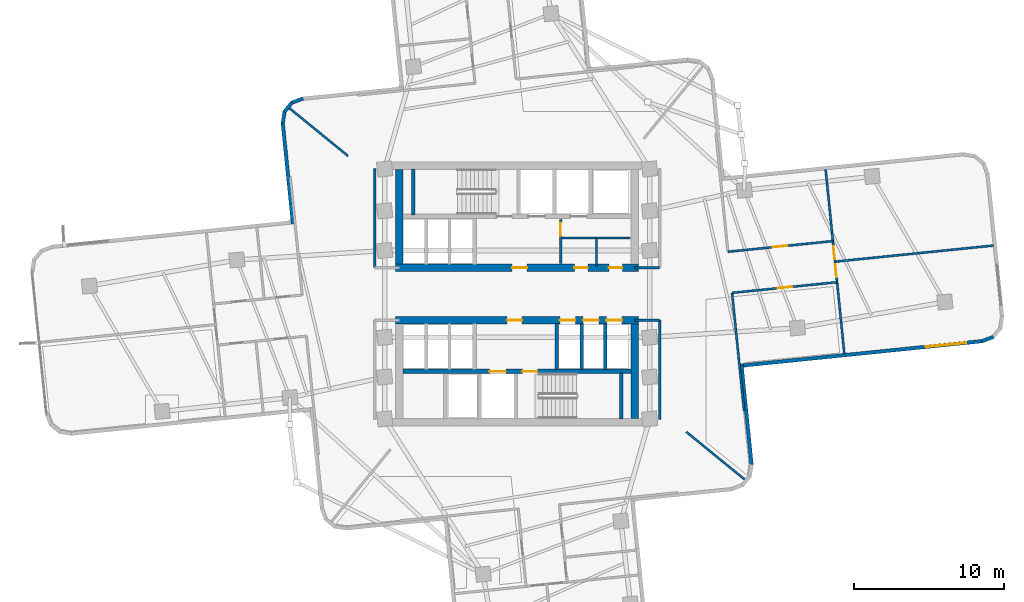
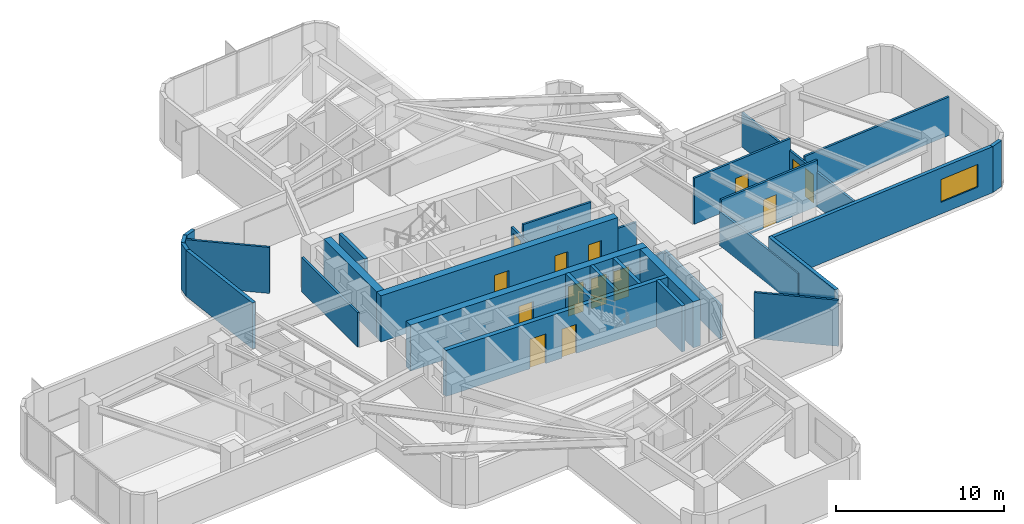
# One storey, part 7 of 12: 31 walls, 14 doors, 1 window, 15 openings.
"""IFC4 building model written with IfcOpenShell, lengths in metres."""

from ifc_helpers import new_model, si_unit, direction, frame, frame_2d, origin, place, context, subcontext, project, spatial, rectangle, extrude, material, layer, layer_set, type_object, element, fill, save


model = new_model("IFC4")

# Units and contexts
model_context = context("Model", 3, precision=1e-05, world=origin(), true_north=direction((0.0, 1.0)))
body_context = subcontext(model_context, "Body", "Model", "MODEL_VIEW")
ifc_project = project(units=[si_unit("LENGTHUNIT", "METRE"), si_unit("AREAUNIT", "SQUARE_METRE"), si_unit("VOLUMEUNIT", "CUBIC_METRE"), si_unit("PLANEANGLEUNIT", "RADIAN"), si_unit("MASSUNIT", "GRAM", prefix="KILO")], contexts=[model_context])

# Site, building, storey
site_placement = place(None, origin())
site = spatial("IfcSite", under=ifc_project, at=site_placement, CompositionType="ELEMENT")
building_placement = place(site_placement, origin())
building = spatial("IfcBuilding", under=site, at=building_placement, Name="Solmarez Civic Tower", CompositionType="ELEMENT")
storey_placement = place(building_placement, frame((0.0, 0.0, 74.8798828125)))
storey = spatial("IfcBuildingStorey", under=building, at=storey_placement, Name="L19", CompositionType="ELEMENT", Elevation=74.8798828125)

# Wall, openings, doors
ifc_material_1 = material(Name="Concrete C60/75", Category="concrete")
ifc_layer_1 = layer(ifc_material_1, 0.5)
ifc_layer_set_1 = layer_set([ifc_layer_1], Name="Concrete C60/75")
wall_type_1 = type_object("IfcWallType", Name="WALL-CORE-500", PredefinedType="SHEAR", material=ifc_layer_set_1)
wall_1_placement = place(storey_placement, frame((8.1201171875, 1.75, 0.0), z_axis=(0.0, 0.0, 1.0), x_axis=(-1.0, 0.0, 0.0)))
wall_1 = element("IfcWall", 1, at=wall_1_placement, inside=storey, type_object=wall_type_1, Name="L19 Split-Core Structural Wall NCW-S-L19", PredefinedType="SHEAR", context=body_context, shape_type="SweptSolid", body=[
    extrude(rectangle(XDim=16.240234375, YDim=0.5, at=frame_2d((8.1201171875, 0.0))), origin(), (0.0, 0.0, 1.0), 3.340087890625),
])
opening_1_placement = place(wall_1_placement, frame((7.449951171875, 0.0, 0.0)))
opening_1 = element("IfcOpeningElement", 2, at=opening_1_placement, cuts=wall_1, Name="Opening D-04", PredefinedType="OPENING", context=body_context, shape_type="SweptSolid", body=[
    extrude(rectangle(XDim=1.0, YDim=2.10009765625, at=frame_2d((0.5, 1.050048828125))), frame((0.0, 0.260009765625, 0.0), z_axis=(0.0, -1.0, 0.0), x_axis=(1.0, 0.0, 0.0)), (0.0, 0.0, 1.0), 0.52001953125),
])
opening_2_placement = place(wall_1_placement, frame((3.39990234375, 0.0, 0.0)))
opening_2 = element("IfcOpeningElement", 3, at=opening_2_placement, cuts=wall_1, Name="Opening D-09", PredefinedType="OPENING", context=body_context, shape_type="SweptSolid", body=[
    extrude(rectangle(XDim=0.89990234375, YDim=2.06005859375, at=frame_2d((0.449951171875, 1.030029296875))), frame((0.0, 0.260009765625, 0.0), z_axis=(0.0, -1.0, 0.0), x_axis=(1.0, 0.0, 0.0)), (0.0, 0.0, 1.0), 0.52001953125),
])
opening_3_placement = place(wall_1_placement, frame((1.10009765625, 0.0, 0.0)))
opening_3 = element("IfcOpeningElement", 4, at=opening_3_placement, cuts=wall_1, Name="Opening D-09", PredefinedType="OPENING", context=body_context, shape_type="SweptSolid", body=[
    extrude(rectangle(XDim=0.89990234375, YDim=2.06005859375, at=frame_2d((0.449951171875, 1.030029296875))), frame((0.0, 0.260009765625, 0.0), z_axis=(0.0, -1.0, 0.0), x_axis=(1.0, 0.0, 0.0)), (0.0, 0.0, 1.0), 0.52001953125),
])
ifc_material_2 = material(Name="Steel-Faced Acoustic Fire Door", Category="steel")
door_type_1 = type_object("IfcDoorType", Name="DOOR-FD60-1000", OperationType="NOTDEFINED", PredefinedType="DOOR", material=ifc_material_2)
door_1_placement = place(opening_1_placement, origin())
door_1 = element("IfcDoor", 5, at=door_1_placement, inside=storey, type_object=door_type_1, Name="L19 North Firefighting Lobby Door", OperationType="SINGLE_SWING_RIGHT", OverallHeight=2.10009765625, OverallWidth=1.0, PredefinedType="DOOR", context=body_context, shape_type="SweptSolid", body=[
    extrude(rectangle(XDim=1.0, YDim=2.10009765625, at=frame_2d((0.5, 1.050048828125))), frame((0.0, 0.02490234375, 0.0), z_axis=(0.0, -1.0, 0.0), x_axis=(1.0, 0.0, 0.0)), (0.0, 0.0, 1.0), 0.050048828125),
])
fill(opening_1, door_1)
ifc_material_3 = material(Name="Fire-Rated Service Core Door", Category="wood")
door_type_2 = type_object("IfcDoorType", Name="DOOR-FD60-900", OperationType="NOTDEFINED", PredefinedType="DOOR", material=ifc_material_3)
door_2_placement = place(opening_2_placement, origin())
door_2 = element("IfcDoor", 6, at=door_2_placement, inside=storey, type_object=door_type_2, Name="L19 Core WC Door", OperationType="SINGLE_SWING_LEFT", OverallHeight=2.06005859375, OverallWidth=0.89990234375, PredefinedType="DOOR", context=body_context, shape_type="SweptSolid", body=[
    extrude(rectangle(XDim=0.89990234375, YDim=2.06005859375, at=frame_2d((0.449951171875, 1.030029296875))), frame((0.0, 0.02490234375, 0.0), z_axis=(0.0, -1.0, 0.0), x_axis=(1.0, 0.0, 0.0)), (0.0, 0.0, 1.0), 0.050048828125),
])
fill(opening_2, door_2)
door_3_placement = place(opening_3_placement, origin())
door_3 = element("IfcDoor", 7, at=door_3_placement, inside=storey, type_object=door_type_2, Name="L19 Core CL Door", OperationType="SINGLE_SWING_RIGHT", OverallHeight=2.06005859375, OverallWidth=0.89990234375, PredefinedType="DOOR", context=body_context, shape_type="SweptSolid", body=[
    extrude(rectangle(XDim=0.89990234375, YDim=2.06005859375, at=frame_2d((0.449951171875, 1.030029296875))), frame((0.0, 0.02490234375, 0.0), z_axis=(0.0, -1.0, 0.0), x_axis=(1.0, 0.0, 0.0)), (0.0, 0.0, 1.0), 0.050048828125),
])
fill(opening_3, door_3)

# Wall
wall_2_placement = place(storey_placement, frame((-7.8701171875, 2.0, 0.0), z_axis=(0.0, 0.0, 1.0), x_axis=(0.0, 1.0, 0.0)))
element("IfcWall", 8, at=wall_2_placement, inside=storey, type_object=wall_type_1, Name="L19 Split-Core Structural Wall NCW-W-L19", PredefinedType="SHEAR", context=body_context, shape_type="SweptSolid", body=[
    extrude(rectangle(XDim=6.31005859375, YDim=0.5, at=frame_2d((3.155029296875, 0.0))), origin(), (0.0, 0.0, 1.0), 3.340087890625),
])

# Wall, openings, doors
wall_3_placement = place(storey_placement, frame((-8.1201171875, -1.75, 0.0), z_axis=(0.0, 0.0, 1.0), x_axis=(1.0, 0.0, 0.0)))
wall_3 = element("IfcWall", 9, at=wall_3_placement, inside=storey, type_object=wall_type_1, Name="L19 Split-Core Structural Wall SCW-N-L19", PredefinedType="SHEAR", context=body_context, shape_type="SweptSolid", body=[
    extrude(rectangle(XDim=16.240234375, YDim=0.5, at=frame_2d((8.1201171875, 0.0))), origin(), (0.0, 0.0, 1.0), 3.340087890625),
])
opening_4_placement = place(wall_3_placement, frame((7.449951171875, 0.0, 0.0)))
opening_4 = element("IfcOpeningElement", 10, at=opening_4_placement, cuts=wall_3, Name="Opening D-04", PredefinedType="OPENING", context=body_context, shape_type="SweptSolid", body=[
    extrude(rectangle(XDim=1.0, YDim=2.10009765625, at=frame_2d((0.5, 1.050048828125))), frame((0.0, 0.260009765625, 0.0), z_axis=(0.0, -1.0, 0.0), x_axis=(1.0, 0.0, 0.0)), (0.0, 0.0, 1.0), 0.52001953125),
])
opening_5_placement = place(wall_3_placement, frame((10.965087890625, 0.0, 0.0)))
opening_5 = element("IfcOpeningElement", 11, at=opening_5_placement, cuts=wall_3, Name="Opening LD-01", PredefinedType="OPENING", context=body_context, shape_type="SweptSolid", body=[
    extrude(rectangle(XDim=1.050048828125, YDim=2.14990234375, at=frame_2d((0.52490234375, 1.074951171875))), frame((0.0, 0.260009765625, 0.0), z_axis=(0.0, -1.0, 0.0), x_axis=(1.0, 0.0, 0.0)), (0.0, 0.0, 1.0), 0.52001953125),
])
opening_6_placement = place(wall_3_placement, frame((12.52490234375, 0.0, 0.0)))
opening_6 = element("IfcOpeningElement", 12, at=opening_6_placement, cuts=wall_3, Name="Opening LD-01", PredefinedType="OPENING", context=body_context, shape_type="SweptSolid", body=[
    extrude(rectangle(XDim=1.050048828125, YDim=2.14990234375, at=frame_2d((0.52490234375, 1.074951171875))), frame((0.0, 0.260009765625, 0.0), z_axis=(0.0, -1.0, 0.0), x_axis=(1.0, 0.0, 0.0)), (0.0, 0.0, 1.0), 0.52001953125),
])
opening_7_placement = place(wall_3_placement, frame((14.0849609375, 0.0, 0.0)))
opening_7 = element("IfcOpeningElement", 13, at=opening_7_placement, cuts=wall_3, Name="Opening LD-01", PredefinedType="OPENING", context=body_context, shape_type="SweptSolid", body=[
    extrude(rectangle(XDim=1.050048828125, YDim=2.14990234375, at=frame_2d((0.52490234375, 1.074951171875))), frame((0.0, 0.260009765625, 0.0), z_axis=(0.0, -1.0, 0.0), x_axis=(1.0, 0.0, 0.0)), (0.0, 0.0, 1.0), 0.52001953125),
])
door_4_placement = place(opening_4_placement, origin())
door_4 = element("IfcDoor", 14, at=door_4_placement, inside=storey, type_object=door_type_1, Name="L19 South Firefighting Lobby Door", OperationType="SINGLE_SWING_LEFT", OverallHeight=2.10009765625, OverallWidth=1.0, PredefinedType="DOOR", context=body_context, shape_type="SweptSolid", body=[
    extrude(rectangle(XDim=1.0, YDim=2.10009765625, at=frame_2d((0.5, 1.050048828125))), frame((0.0, 0.02490234375, 0.0), z_axis=(0.0, -1.0, 0.0), x_axis=(1.0, 0.0, 0.0)), (0.0, 0.0, 1.0), 0.050048828125),
])
fill(opening_4, door_4)
ifc_material_4 = material(Name="Bronze Passenger Lift Landing Sliding Door", Category="aluminium")
door_type_3 = type_object("IfcDoorType", Name="DOOR-LD-PAX-1050", OperationType="DOUBLE_DOOR_SLIDING", PredefinedType="DOOR", material=ifc_material_4)
door_5_placement = place(opening_5_placement, origin())
door_5 = element("IfcDoor", 15, at=door_5_placement, inside=storey, type_object=door_type_3, Name="L19 Low-Rise Lift Landing Door PL-L1", OperationType="DOUBLE_DOOR_SLIDING", OverallHeight=2.14990234375, OverallWidth=1.050048828125, PredefinedType="DOOR", context=body_context, shape_type="SweptSolid", body=[
    extrude(rectangle(XDim=1.050048828125, YDim=2.14990234375, at=frame_2d((0.52490234375, 1.074951171875))), frame((0.0, 0.02490234375, 0.0), z_axis=(0.0, -1.0, 0.0), x_axis=(1.0, 0.0, 0.0)), (0.0, 0.0, 1.0), 0.050048828125),
])
fill(opening_5, door_5)
door_6_placement = place(opening_6_placement, origin())
door_6 = element("IfcDoor", 16, at=door_6_placement, inside=storey, type_object=door_type_3, Name="L19 Low-Rise Lift Landing Door PL-L2", OperationType="DOUBLE_DOOR_SLIDING", OverallHeight=2.14990234375, OverallWidth=1.050048828125, PredefinedType="DOOR", context=body_context, shape_type="SweptSolid", body=[
    extrude(rectangle(XDim=1.050048828125, YDim=2.14990234375, at=frame_2d((0.52490234375, 1.074951171875))), frame((0.0, 0.02490234375, 0.0), z_axis=(0.0, -1.0, 0.0), x_axis=(1.0, 0.0, 0.0)), (0.0, 0.0, 1.0), 0.050048828125),
])
fill(opening_6, door_6)
door_7_placement = place(opening_7_placement, origin())
door_7 = element("IfcDoor", 17, at=door_7_placement, inside=storey, type_object=door_type_3, Name="L19 Low-Rise Lift Landing Door PL-L3", OperationType="DOUBLE_DOOR_SLIDING", OverallHeight=2.14990234375, OverallWidth=1.050048828125, PredefinedType="DOOR", context=body_context, shape_type="SweptSolid", body=[
    extrude(rectangle(XDim=1.050048828125, YDim=2.14990234375, at=frame_2d((0.52490234375, 1.074951171875))), frame((0.0, 0.02490234375, 0.0), z_axis=(0.0, -1.0, 0.0), x_axis=(1.0, 0.0, 0.0)), (0.0, 0.0, 1.0), 0.050048828125),
])
fill(opening_7, door_7)

# Walls
wall_4_placement = place(storey_placement, frame((7.8701171875, -2.0, 0.0), z_axis=(0.0, 0.0, 1.0), x_axis=(0.0, -1.0, 0.0)))
element("IfcWall", 18, at=wall_4_placement, inside=storey, type_object=wall_type_1, Name="L19 Split-Core Structural Wall SCW-E-L19", PredefinedType="SHEAR", context=body_context, shape_type="SweptSolid", body=[
    extrude(rectangle(XDim=6.31005859375, YDim=0.5, at=frame_2d((3.155029296875, 0.0))), origin(), (0.0, 0.0, 1.0), 3.340087890625),
])
ifc_material_5 = material(Name="Precast concrete C40/50", Category="concrete")
ifc_layer_2 = layer(ifc_material_5, 0.239990234375)
ifc_layer_set_2 = layer_set([ifc_layer_2], Name="Precast concrete C40/50")
wall_type_2 = type_object("IfcWallType", Name="WALL-EXT-240", PredefinedType="SOLIDWALL", material=ifc_layer_set_2)
wall_5_placement = place(storey_placement, frame((-14.98095703125, 4.694091796875, 0.0), z_axis=(0.0, 0.0, 1.0), x_axis=(-0.101105402534, 0.994875719665, 0.0)))
element("IfcWall", 19, at=wall_5_placement, inside=storey, type_object=wall_type_2, Name="L19 Exterior Precast Wall 13", PredefinedType="SOLIDWALL", context=body_context, shape_type="SweptSolid", body=[
    extrude(rectangle(XDim=6.775634765625, YDim=0.239990234375, at=frame_2d((3.3876953125, 0.0))), origin(), (0.0, 0.0, 1.0), 3.340087890625),
])
wall_6_placement = place(storey_placement, frame((-15.6669921875, 11.385009765625, 0.0), z_axis=(0.0, 0.0, 1.0), x_axis=(0.160156284613, 0.987091669755, 0.0)))
element("IfcWall", 20, at=wall_6_placement, inside=storey, type_object=wall_type_2, Name="L19 Exterior Precast Wall 14", PredefinedType="SOLIDWALL", context=body_context, shape_type="SweptSolid", body=[
    extrude(rectangle(XDim=0.830810546875, YDim=0.239990234375, at=frame_2d((0.41552734375, 0.0))), origin(), (0.0, 0.0, 1.0), 3.340087890625),
])
wall_7_placement = place(storey_placement, frame((-15.553955078125, 12.160888671875, 0.0), z_axis=(0.0, 0.0, 1.0), x_axis=(0.632027096542, 0.774946287969, 0.0)))
element("IfcWall", 21, at=wall_7_placement, inside=storey, type_object=wall_type_2, Name="L19 Exterior Precast Wall 15", PredefinedType="SOLIDWALL", context=body_context, shape_type="SweptSolid", body=[
    extrude(rectangle(XDim=0.813232421875, YDim=0.239990234375, at=frame_2d((0.40673828125, 0.0))), origin(), (0.0, 0.0, 1.0), 3.340087890625),
])
wall_8_placement = place(storey_placement, frame((-15.0791015625, 12.762939453125, 0.0), z_axis=(0.0, 0.0, 1.0), x_axis=(0.934687869602, 0.355469529522, 0.0)))
element("IfcWall", 22, at=wall_8_placement, inside=storey, type_object=wall_type_2, Name="L19 Exterior Precast Wall 16", PredefinedType="SOLIDWALL", context=body_context, shape_type="SweptSolid", body=[
    extrude(rectangle(XDim=0.830322265625, YDim=0.239990234375, at=frame_2d((0.4150390625, 0.0))), origin(), (0.0, 0.0, 1.0), 3.340087890625),
])
wall_9_placement = place(storey_placement, frame((31.81494140625, -2.87109375, 0.0), z_axis=(0.0, 0.0, 1.0), x_axis=(-0.934748415991, -0.355310285248, 0.0)))
element("IfcWall", 23, at=wall_9_placement, inside=storey, type_object=wall_type_2, Name="L19 Exterior Precast Wall 45", PredefinedType="SOLIDWALL", context=body_context, shape_type="SweptSolid", body=[
    extrude(rectangle(XDim=0.830078125, YDim=0.239990234375, at=frame_2d((0.4150390625, 0.0))), origin(), (0.0, 0.0, 1.0), 3.340087890625),
])

# Wall, opening, window
wall_10_placement = place(storey_placement, frame((31.0869140625, -3.154052734375, 0.0), z_axis=(0.0, 0.0, 1.0), x_axis=(-0.994872777564, -0.101134348577, 0.0)))
wall_10 = element("IfcWall", 24, at=wall_10_placement, inside=storey, type_object=wall_type_2, Name="L19 Exterior Precast Wall 46", PredefinedType="SOLIDWALL", context=body_context, shape_type="SweptSolid", body=[
    extrude(rectangle(XDim=16.275390625, YDim=0.239990234375, at=frame_2d((8.1376953125, 0.0))), origin(), (0.0, 0.0, 1.0), 3.340087890625),
])
opening_8_placement = place(wall_10_placement, frame((1.10009765625, 0.0, 0.85009765625)))
opening_8 = element("IfcOpeningElement", 25, at=opening_8_placement, cuts=wall_10, Name="Opening W-09", PredefinedType="OPENING", context=body_context, shape_type="SweptSolid", body=[
    extrude(rectangle(XDim=2.699951171875, YDim=1.64990234375, at=frame_2d((1.35009765625, 0.824951171875))), frame((0.0, 0.1298828125, 0.0), z_axis=(0.0, -1.0, 0.0), x_axis=(1.0, 0.0, 0.0)), (0.0, 0.0, 1.0), 0.260009765625),
])
ifc_material_6 = material(Name="Solar Control Bronze-Tinted Insulating Glass", Category="glass")
window_type = type_object("IfcWindowType", Name="WIN-2700X1650", PartitioningType="SINGLE_PANEL", PredefinedType="WINDOW", material=ifc_material_6)
window_placement = place(opening_8_placement, origin())
window = element("IfcWindow", 26, at=window_placement, inside=storey, type_object=window_type, Name="L19 Exterior Facade Window 46", OverallHeight=1.64990234375, OverallWidth=2.699951171875, PartitioningType="SINGLE_PANEL", PredefinedType="WINDOW", context=body_context, shape_type="SweptSolid", body=[
    extrude(rectangle(XDim=2.699951171875, YDim=1.64990234375, at=frame_2d((1.35009765625, 0.824951171875))), frame((0.0, 0.030029296875, 0.0), z_axis=(0.0, -1.0, 0.0), x_axis=(1.0, 0.0, 0.0)), (0.0, 0.0, 1.0), 0.06005859375),
])
fill(opening_8, window)

# Walls
wall_11_placement = place(storey_placement, frame((14.98095703125, -4.694091796875, 0.0), z_axis=(0.0, 0.0, 1.0), x_axis=(0.101105402534, -0.994875719665, 0.0)))
element("IfcWall", 27, at=wall_11_placement, inside=storey, type_object=wall_type_2, Name="L19 Exterior Precast Wall 49", PredefinedType="SOLIDWALL", context=body_context, shape_type="SweptSolid", body=[
    extrude(rectangle(XDim=6.775634765625, YDim=0.239990234375, at=frame_2d((3.3876953125, 0.0))), origin(), (0.0, 0.0, 1.0), 3.340087890625),
])
ifc_material_7 = material(Name="Gypsum Board Acoustic Steel-Stud Partition", Category="steel")
ifc_layer_3 = layer(ifc_material_7, 0.14990234375)
ifc_layer_set_3 = layer_set([ifc_layer_3], Name="Gypsum Board Acoustic Steel-Stud Partition")
wall_type_3 = type_object("IfcWallType", Name="WALL-INT-FIRE-150", PredefinedType="PARTITIONING", material=ifc_layer_set_3)
wall_12_placement = place(storey_placement, frame((-9.52001953125, 1.75, 0.0), z_axis=(0.0, 0.0, 1.0), x_axis=(0.0, 1.0, 0.0)))
element("IfcWall", 28, at=wall_12_placement, inside=storey, type_object=wall_type_3, Name="L19 Interior Partition CHW-L19-WN1", PredefinedType="PARTITIONING", context=body_context, shape_type="SweptSolid", body=[
    extrude(rectangle(XDim=6.6298828125, YDim=0.14990234375, at=frame_2d((3.31494140625, 0.0))), origin(), (0.0, 0.0, 1.0), 2.486083984375),
])
wall_13_placement = place(storey_placement, frame((7.85009765625, 1.75, 0.0), z_axis=(0.0, 0.0, 1.0), x_axis=(1.0, 0.0, 0.0)))
element("IfcWall", 29, at=wall_13_placement, inside=storey, type_object=wall_type_3, Name="L19 Interior Partition CHW-L19-EN3", PredefinedType="PARTITIONING", context=body_context, shape_type="SweptSolid", body=[
    extrude(rectangle(XDim=1.669921875, YDim=0.14990234375, at=frame_2d((0.8349609375, 0.0))), origin(), (0.0, 0.0, 1.0), 2.405029296875),
])
wall_14_placement = place(storey_placement, frame((9.52001953125, -8.3798828125, 0.0), z_axis=(0.0, 0.0, 1.0), x_axis=(0.0, 1.0, 0.0)))
element("IfcWall", 30, at=wall_14_placement, inside=storey, type_object=wall_type_3, Name="L19 Interior Partition CHW-L19-ES1", PredefinedType="PARTITIONING", context=body_context, shape_type="SweptSolid", body=[
    extrude(rectangle(XDim=6.6298828125, YDim=0.14990234375, at=frame_2d((3.31494140625, 0.0))), origin(), (0.0, 0.0, 1.0), 2.486083984375),
])
wall_15_placement = place(storey_placement, frame((7.85009765625, -1.75, 0.0), z_axis=(0.0, 0.0, 1.0), x_axis=(1.0, 0.0, 0.0)))
element("IfcWall", 31, at=wall_15_placement, inside=storey, type_object=wall_type_3, Name="L19 Interior Partition CHW-L19-ES3", PredefinedType="PARTITIONING", context=body_context, shape_type="SweptSolid", body=[
    extrude(rectangle(XDim=1.669921875, YDim=0.14990234375, at=frame_2d((0.8349609375, 0.0))), origin(), (0.0, 0.0, 1.0), 2.405029296875),
])
ifc_layer_4 = layer(ifc_material_7, 0.14501953125)
ifc_layer_set_4 = layer_set([ifc_layer_4], Name="Gypsum Board Acoustic Steel-Stud Partition")
wall_type_4 = type_object("IfcWallType", Name="WALL-INT-PART-150", PredefinedType="PARTITIONING", material=ifc_layer_set_4)
for number, where, z_axis, x_axis, name in (
    (32, (-11.300048828125, 9.216064453125, 0.0), (0.0, 0.0, 1.0), (-0.774936359867, 0.632039269473, 0.0), "L19 Interior Partition PT-L19-QDIV-2"),
    (33, (11.300048828125, -9.216064453125, 0.0), (0.0, 0.0, 1.0), (0.774936359867, -0.632039269473, 0.0), "L19 Interior Partition PT-L19-QDIV-4"),
):
    element("IfcWall", number, at=place(storey_placement, frame(where, z_axis=z_axis, x_axis=x_axis)), inside=storey, type_object=wall_type_4, Name=name, PredefinedType="PARTITIONING", context=body_context, shape_type="SweptSolid", body=[
        extrude(rectangle(XDim=5.072509765625, YDim=0.14501953125, at=frame_2d((2.5361328125, 0.0))), origin(), (0.0, 0.0, 1.0), 3.340087890625),
    ])
wall_16_placement = place(storey_placement, frame((15.158935546875, -7.827880859375, 0.0), z_axis=(0.0, 0.0, 1.0), x_axis=(-0.101130341041, 0.994873184944, 0.0)))
element("IfcWall", 34, at=wall_16_placement, inside=storey, type_object=wall_type_4, Name="L19 Interior Partition PT-L19-E-EFR", PredefinedType="PARTITIONING", context=body_context, shape_type="SweptSolid", body=[
    extrude(rectangle(XDim=7.94970703125, YDim=0.14501953125, at=frame_2d((3.974853515625, 0.0))), origin(), (0.0, 0.0, 1.0), 2.486083984375),
])

# Wall, opening, door
wall_17_placement = place(storey_placement, frame((21.091064453125, 3.529052734375, 0.0), z_axis=(0.0, 0.0, 1.0), x_axis=(-0.994885188523, -0.101012185692, 0.0)))
wall_17 = element("IfcWall", 35, at=wall_17_placement, inside=storey, type_object=wall_type_4, Name="L19 Interior Partition PT-L19-E-SL", PredefinedType="PARTITIONING", context=body_context, shape_type="SweptSolid", body=[
    extrude(rectangle(XDim=7.05029296875, YDim=0.14501953125, at=frame_2d((3.525146484375, 0.0))), origin(), (0.0, 0.0, 1.0), 3.340087890625),
])
opening_9_placement = place(wall_17_placement, frame((3.074951171875, 0.0, 0.0)))
opening_9 = element("IfcOpeningElement", 36, at=opening_9_placement, cuts=wall_17, Name="Opening D-10", PredefinedType="OPENING", context=body_context, shape_type="SweptSolid", body=[
    extrude(rectangle(XDim=0.949951171875, YDim=2.080078125, at=frame_2d((0.47509765625, 1.0400390625))), frame((0.0, 0.08251953125, 0.0), z_axis=(0.0, -1.0, 0.0), x_axis=(1.0, 0.0, 0.0)), (0.0, 0.0, 1.0), 0.1650390625),
])
ifc_material_8 = material(Name="Solid-Core Timber Ministry Office Door", Category="wood")
door_type_4 = type_object("IfcDoorType", Name="DOOR-INT-950", OperationType="NOTDEFINED", PredefinedType="DOOR", material=ifc_material_8)
door_8_placement = place(opening_9_placement, origin())
door_8 = element("IfcDoor", 37, at=door_8_placement, inside=storey, type_object=door_type_4, Name="L19 Co-Working Policy Workspace East Door", OperationType="SINGLE_SWING_LEFT", OverallHeight=2.080078125, OverallWidth=0.949951171875, PredefinedType="DOOR", context=body_context, shape_type="SweptSolid", body=[
    extrude(rectangle(XDim=0.949951171875, YDim=2.080078125, at=frame_2d((0.47509765625, 1.0400390625))), frame((0.0, 0.02490234375, 0.0), z_axis=(0.0, -1.0, 0.0), x_axis=(1.0, 0.0, 0.0)), (0.0, 0.0, 1.0), 0.050048828125),
])
fill(opening_9, door_8)

wall_18_placement = place(storey_placement, frame((14.35595703125, 0.071044921875, 0.0), z_axis=(0.0, 0.0, 1.0), x_axis=(0.994874743202, 0.101115010447, 0.0)))
wall_18 = element("IfcWall", 38, at=wall_18_placement, inside=storey, type_object=wall_type_4, Name="L19 Interior Partition PT-L19-E-SR", PredefinedType="PARTITIONING", context=body_context, shape_type="SweptSolid", body=[
    extrude(rectangle(XDim=7.05029296875, YDim=0.14501953125, at=frame_2d((3.525146484375, 0.0))), origin(), (0.0, 0.0, 1.0), 3.340087890625),
])
opening_10_placement = place(wall_18_placement, frame((3.074951171875, 0.0, 0.0)))
opening_10 = element("IfcOpeningElement", 39, at=opening_10_placement, cuts=wall_18, Name="Opening D-10", PredefinedType="OPENING", context=body_context, shape_type="SweptSolid", body=[
    extrude(rectangle(XDim=0.949951171875, YDim=2.080078125, at=frame_2d((0.47509765625, 1.0400390625))), frame((0.0, 0.08251953125, 0.0), z_axis=(0.0, -1.0, 0.0), x_axis=(1.0, 0.0, 0.0)), (0.0, 0.0, 1.0), 0.1650390625),
])
door_9_placement = place(opening_10_placement, origin())
door_9 = element("IfcDoor", 40, at=door_9_placement, inside=storey, type_object=door_type_4, Name="L19 Breakout Huddle Room East Door", OperationType="SINGLE_SWING_RIGHT", OverallHeight=2.080078125, OverallWidth=0.949951171875, PredefinedType="DOOR", context=body_context, shape_type="SweptSolid", body=[
    extrude(rectangle(XDim=0.949951171875, YDim=2.080078125, at=frame_2d((0.47509765625, 1.0400390625))), frame((0.0, 0.02490234375, 0.0), z_axis=(0.0, -1.0, 0.0), x_axis=(1.0, 0.0, 0.0)), (0.0, 0.0, 1.0), 0.050048828125),
])
fill(opening_10, door_9)

# Wall
wall_19_placement = place(storey_placement, frame((21.2900390625, 2.1630859375, 0.0), z_axis=(0.0, 0.0, 1.0), x_axis=(0.994879916843, 0.101064093832, 0.0)))
element("IfcWall", 41, at=wall_19_placement, inside=storey, type_object=wall_type_4, Name="L19 Interior Partition PT-L19-E-TM", PredefinedType="PARTITIONING", context=body_context, shape_type="SweptSolid", body=[
    extrude(rectangle(XDim=10.59521484375, YDim=0.14501953125, at=frame_2d((5.297607421875, 0.0))), origin(), (0.0, 0.0, 1.0), 2.793212890625),
])

# Wall, openings, doors
wall_20_placement = place(storey_placement, frame((20.60498046875, 8.320068359375, 0.0), z_axis=(0.0, 0.0, 1.0), x_axis=(0.101040883761, -0.994882274346, 0.0)))
wall_20 = element("IfcWall", 42, at=wall_20_placement, inside=storey, type_object=wall_type_4, Name="L19 Interior Partition PT-L19-E-END", PredefinedType="PARTITIONING", context=body_context, shape_type="SweptSolid", body=[
    extrude(rectangle(XDim=12.390625, YDim=0.14501953125, at=frame_2d((6.1953125, 0.0))), origin(), (0.0, 0.0, 1.0), 2.486083984375),
])
opening_11_placement = place(wall_20_placement, frame((6.364990234375, 0.0, 0.0)))
opening_11 = element("IfcOpeningElement", 43, at=opening_11_placement, cuts=wall_20, Name="Opening D-14", PredefinedType="OPENING", context=body_context, shape_type="SweptSolid", body=[
    extrude(rectangle(XDim=0.860107421875, YDim=2.0400390625, at=frame_2d((0.43017578125, 1.02001953125))), frame((0.0, 0.08251953125, 0.0), z_axis=(0.0, -1.0, 0.0), x_axis=(1.0, 0.0, 0.0)), (0.0, 0.0, 1.0), 0.1650390625),
])
opening_12_placement = place(wall_20_placement, frame((5.1650390625, 0.0, 0.0)))
opening_12 = element("IfcOpeningElement", 44, at=opening_12_placement, cuts=wall_20, Name="Opening D-14", PredefinedType="OPENING", context=body_context, shape_type="SweptSolid", body=[
    extrude(rectangle(XDim=0.860107421875, YDim=2.0400390625, at=frame_2d((0.43017578125, 1.02001953125))), frame((0.0, 0.08251953125, 0.0), z_axis=(0.0, -1.0, 0.0), x_axis=(1.0, 0.0, 0.0)), (0.0, 0.0, 1.0), 0.1650390625),
])
ifc_material_9 = material(Name="Timber Storage and Pantry Door", Category="wood")
door_type_5 = type_object("IfcDoorType", Name="DOOR-INT-850", OperationType="NOTDEFINED", PredefinedType="DOOR", material=ifc_material_9)
door_10_placement = place(opening_11_placement, origin())
door_10 = element("IfcDoor", 45, at=door_10_placement, inside=storey, type_object=door_type_5, Name="L19 Staff Tea Pantry Sixth East Door", OperationType="SINGLE_SWING_RIGHT", OverallHeight=2.0400390625, OverallWidth=0.860107421875, PredefinedType="DOOR", context=body_context, shape_type="SweptSolid", body=[
    extrude(rectangle(XDim=0.860107421875, YDim=2.0400390625, at=frame_2d((0.43017578125, 1.02001953125))), frame((0.0, 0.02490234375, 0.0), z_axis=(0.0, -1.0, 0.0), x_axis=(1.0, 0.0, 0.0)), (0.0, 0.0, 1.0), 0.050048828125),
])
fill(opening_11, door_10)
door_11_placement = place(opening_12_placement, origin())
door_11 = element("IfcDoor", 46, at=door_11_placement, inside=storey, type_object=door_type_5, Name="L19 Municipal Mailroom Fifth East Door", OperationType="SINGLE_SWING_LEFT", OverallHeight=2.0400390625, OverallWidth=0.860107421875, PredefinedType="DOOR", context=body_context, shape_type="SweptSolid", body=[
    extrude(rectangle(XDim=0.860107421875, YDim=2.0400390625, at=frame_2d((0.43017578125, 1.02001953125))), frame((0.0, 0.02490234375, 0.0), z_axis=(0.0, -1.0, 0.0), x_axis=(1.0, 0.0, 0.0)), (0.0, 0.0, 1.0), 0.050048828125),
])
fill(opening_12, door_11)

# Wall, opening, door
ifc_layer_5 = layer(ifc_material_7, 0.159912109375)
ifc_layer_set_5 = layer_set([ifc_layer_5], Name="Gypsum Board Acoustic Steel-Stud Partition")
wall_type_5 = type_object("IfcWallType", Name="WALL-INT-SHAFT-160", PredefinedType="PARTITIONING", material=ifc_layer_set_5)
wall_21_placement = place(storey_placement, frame((2.89990234375, 2.0400390625, 0.0), z_axis=(0.0, 0.0, 1.0), x_axis=(0.0, 1.0, 0.0)))
wall_21 = element("IfcWall", 47, at=wall_21_placement, inside=storey, type_object=wall_type_5, Name="L19 Interior Partition SHW-NL2-L19", PredefinedType="PARTITIONING", context=body_context, shape_type="SweptSolid", body=[
    extrude(rectangle(XDim=2.93994140625, YDim=0.159912109375, at=frame_2d((1.469970703125, 0.0))), origin(), (0.0, 0.0, 1.0), 2.405029296875),
])
opening_13_placement = place(wall_21_placement, frame((1.820068359375, 0.0, 0.0)))
opening_13 = element("IfcOpeningElement", 48, at=opening_13_placement, cuts=wall_21, Name="Opening D-09", PredefinedType="OPENING", context=body_context, shape_type="SweptSolid", body=[
    extrude(rectangle(XDim=0.89990234375, YDim=2.06005859375, at=frame_2d((0.449951171875, 1.030029296875))), frame((0.0, 0.08984375, 0.0), z_axis=(0.0, -1.0, 0.0), x_axis=(1.0, 0.0, 0.0)), (0.0, 0.0, 1.0), 0.179931640625),
])
door_12_placement = place(opening_13_placement, origin())
door_12 = element("IfcDoor", 49, at=door_12_placement, inside=storey, type_object=door_type_2, Name="L19 Service Lift Lobby Door", OperationType="SINGLE_SWING_LEFT", OverallHeight=2.06005859375, OverallWidth=0.89990234375, PredefinedType="DOOR", context=body_context, shape_type="SweptSolid", body=[
    extrude(rectangle(XDim=0.89990234375, YDim=2.06005859375, at=frame_2d((0.449951171875, 1.030029296875))), frame((0.0, 0.02490234375, 0.0), z_axis=(0.0, -1.0, 0.0), x_axis=(1.0, 0.0, 0.0)), (0.0, 0.0, 1.0), 0.050048828125),
])
fill(opening_13, door_12)

# Walls
ifc_layer_6 = layer(ifc_material_7, 0.137939453125)
ifc_layer_set_6 = layer_set([ifc_layer_6], Name="Gypsum Board Acoustic Steel-Stud Partition")
wall_type_6 = type_object("IfcWallType", Name="WALL-INT-WET-140", PredefinedType="PARTITIONING", material=ifc_layer_set_6)
wall_22_placement = place(storey_placement, frame((2.89990234375, 3.739990234375, 0.0), z_axis=(0.0, 0.0, 1.0), x_axis=(1.0, 0.0, 0.0)))
element("IfcWall", 50, at=wall_22_placement, inside=storey, type_object=wall_type_6, Name="L19 Interior Partition SHW-SVH-L19", PredefinedType="PARTITIONING", context=body_context, shape_type="SweptSolid", body=[
    extrude(rectangle(XDim=4.650146484375, YDim=0.137939453125, at=frame_2d((2.3251953125, 0.0))), origin(), (0.0, 0.0, 1.0), 3.340087890625),
])
wall_23_placement = place(storey_placement, frame((5.300048828125, 1.85009765625, 0.0), z_axis=(0.0, 0.0, 1.0), x_axis=(0.0, 1.0, 0.0)))
element("IfcWall", 51, at=wall_23_placement, inside=storey, type_object=wall_type_6, Name="L19 Interior Partition PT-NCSV-L19", PredefinedType="PARTITIONING", context=body_context, shape_type="SweptSolid", body=[
    extrude(rectangle(XDim=1.889892578125, YDim=0.137939453125, at=frame_2d((0.94482421875, 0.0))), origin(), (0.0, 0.0, 1.0), 2.405029296875),
])

# Wall, openings, doors
ifc_material_10 = material(Name="Concrete C50/60", Category="concrete")
ifc_layer_7 = layer(ifc_material_10, 0.300048828125)
ifc_layer_set_7 = layer_set([ifc_layer_7], Name="Concrete C50/60")
wall_type_7 = type_object("IfcWallType", Name="WALL-STR-300", PredefinedType="SOLIDWALL", material=ifc_layer_set_7)
wall_24_placement = place(storey_placement, frame((-7.6201171875, -5.179931640625, 0.0), z_axis=(0.0, 0.0, 1.0), x_axis=(1.0, 0.0, 0.0)))
wall_24 = element("IfcWall", 52, at=wall_24_placement, inside=storey, type_object=wall_type_7, Name="L19 Split-Core Structural Wall SCW-M-L19", PredefinedType="SOLIDWALL", context=body_context, shape_type="SweptSolid", body=[
    extrude(rectangle(XDim=15.240234375, YDim=0.300048828125, at=frame_2d((7.6201171875, 0.0))), origin(), (0.0, 0.0, 1.0), 3.340087890625),
])
opening_14_placement = place(wall_24_placement, frame((5.77001953125, 0.0, 0.0)))
opening_14 = element("IfcOpeningElement", 53, at=opening_14_placement, cuts=wall_24, Name="Opening LD-02", PredefinedType="OPENING", context=body_context, shape_type="SweptSolid", body=[
    extrude(rectangle(XDim=1.10009765625, YDim=2.14990234375, at=frame_2d((0.550048828125, 1.074951171875))), frame((0.0, 0.159912109375, 0.0), z_axis=(0.0, -1.0, 0.0), x_axis=(1.0, 0.0, 0.0)), (0.0, 0.0, 1.0), 0.320068359375),
])
opening_15_placement = place(wall_24_placement, frame((7.969970703125, 0.0, 0.0)))
opening_15 = element("IfcOpeningElement", 54, at=opening_15_placement, cuts=wall_24, Name="Opening D-05", PredefinedType="OPENING", context=body_context, shape_type="SweptSolid", body=[
    extrude(rectangle(XDim=1.0, YDim=2.10009765625, at=frame_2d((0.5, 1.050048828125))), frame((0.0, 0.159912109375, 0.0), z_axis=(0.0, -1.0, 0.0), x_axis=(1.0, 0.0, 0.0)), (0.0, 0.0, 1.0), 0.320068359375),
])
ifc_material_11 = material(Name="Fire-Rated Stairwell Exit Door", Category="wood")
door_type_6 = type_object("IfcDoorType", Name="DOOR-FD90-1000", OperationType="NOTDEFINED", PredefinedType="DOOR", material=ifc_material_11)
door_13_placement = place(opening_15_placement, origin())
door_13 = element("IfcDoor", 55, at=door_13_placement, inside=storey, type_object=door_type_6, Name="L19 South Exit Stair Door ST-2", OperationType="SINGLE_SWING_LEFT", OverallHeight=2.10009765625, OverallWidth=1.0, PredefinedType="DOOR", context=body_context, shape_type="SweptSolid", body=[
    extrude(rectangle(XDim=1.0, YDim=2.10009765625, at=frame_2d((0.5, 1.050048828125))), frame((0.0, 0.02490234375, 0.0), z_axis=(0.0, -1.0, 0.0), x_axis=(1.0, 0.0, 0.0)), (0.0, 0.0, 1.0), 0.050048828125),
])
fill(opening_15, door_13)
ifc_material_12 = material(Name="Stainless Firefighting Lift Landing Sliding Door", Category="aluminium")
door_type_7 = type_object("IfcDoorType", Name="DOOR-LD-FF-1100", OperationType="DOUBLE_DOOR_SLIDING", PredefinedType="DOOR", material=ifc_material_12)
door_14_placement = place(opening_14_placement, origin())
door_14 = element("IfcDoor", 56, at=door_14_placement, inside=storey, type_object=door_type_7, Name="L19 Firefighting Lift Landing Door FFL-2", OperationType="DOUBLE_DOOR_SLIDING", OverallHeight=2.14990234375, OverallWidth=1.10009765625, PredefinedType="DOOR", context=body_context, shape_type="SweptSolid", body=[
    extrude(rectangle(XDim=1.10009765625, YDim=2.14990234375, at=frame_2d((0.550048828125, 1.074951171875))), frame((0.0, 0.02490234375, 0.0), z_axis=(0.0, -1.0, 0.0), x_axis=(1.0, 0.0, 0.0)), (0.0, 0.0, 1.0), 0.050048828125),
])
fill(opening_14, door_14)

# Walls
for number, where, z_axis, x_axis, name in (
    (57, (-6.949951171875, 5.280029296875, 0.0), (0.0, 0.0, 1.0), (0.0, 1.0, 0.0), "L19 Split-Core Structural Wall SHW-NW-L19"),
    (58, (6.949951171875, -8.340087890625, 0.0), (0.0, 0.0, 1.0), (0.0, 1.0, 0.0), "L19 Split-Core Structural Wall SHW-SE-L19"),
):
    element("IfcWall", number, at=place(storey_placement, frame(where, z_axis=z_axis, x_axis=x_axis)), inside=storey, type_object=wall_type_7, Name=name, PredefinedType="SOLIDWALL", context=body_context, shape_type="SweptSolid", body=[
        extrude(rectangle(XDim=3.06005859375, YDim=0.219970703125, at=frame_2d((1.530029296875, 0.0))), origin(), (0.0, 0.0, 1.0), 3.340087890625),
    ])
wall_25_placement = place(storey_placement, frame((2.64990234375, -5.050048828125, 0.0), z_axis=(0.0, 0.0, 1.0), x_axis=(0.0, 1.0, 0.0)))
element("IfcWall", 59, at=wall_25_placement, inside=storey, type_object=wall_type_7, Name="L19 Split-Core Structural Wall SHW-SL2-L19", PredefinedType="SOLIDWALL", context=body_context, shape_type="SweptSolid", body=[
    extrude(rectangle(XDim=3.070068359375, YDim=0.25, at=frame_2d((1.53515625, 0.0))), origin(), (0.0, 0.0, 1.0), 3.340087890625),
])
for number, where, z_axis, x_axis, name in (
    (60, (4.320068359375, -5.050048828125, 0.0), (0.0, 0.0, 1.0), (0.0, 1.0, 0.0), "L19 Split-Core Structural Wall SHW-PLL-L19-1"),
    (61, (5.8798828125, -5.050048828125, 0.0), (0.0, 0.0, 1.0), (0.0, 1.0, 0.0), "L19 Split-Core Structural Wall SHW-PLL-L19-2"),
):
    element("IfcWall", number, at=place(storey_placement, frame(where, z_axis=z_axis, x_axis=x_axis)), inside=storey, type_object=wall_type_7, Name=name, PredefinedType="SOLIDWALL", context=body_context, shape_type="SweptSolid", body=[
        extrude(rectangle(XDim=3.070068359375, YDim=0.219970703125, at=frame_2d((1.53515625, 0.0))), origin(), (0.0, 0.0, 1.0), 3.340087890625),
    ])

save(model, "model.ifc")
